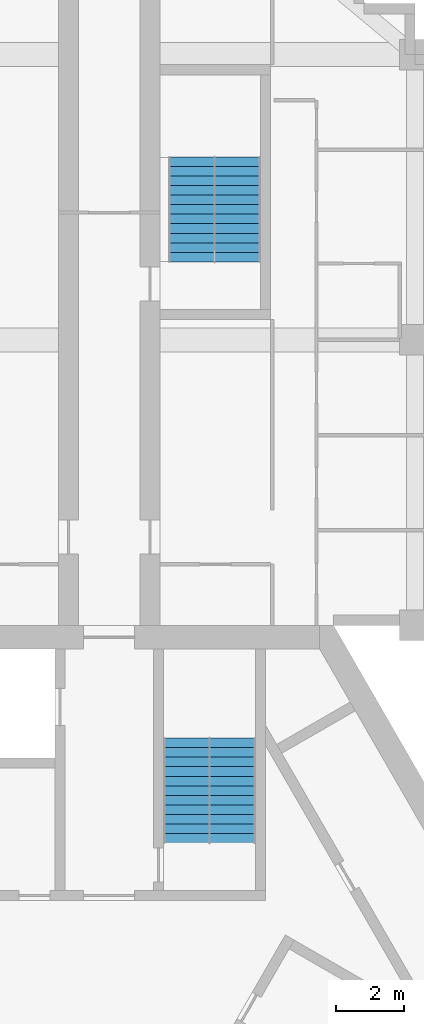
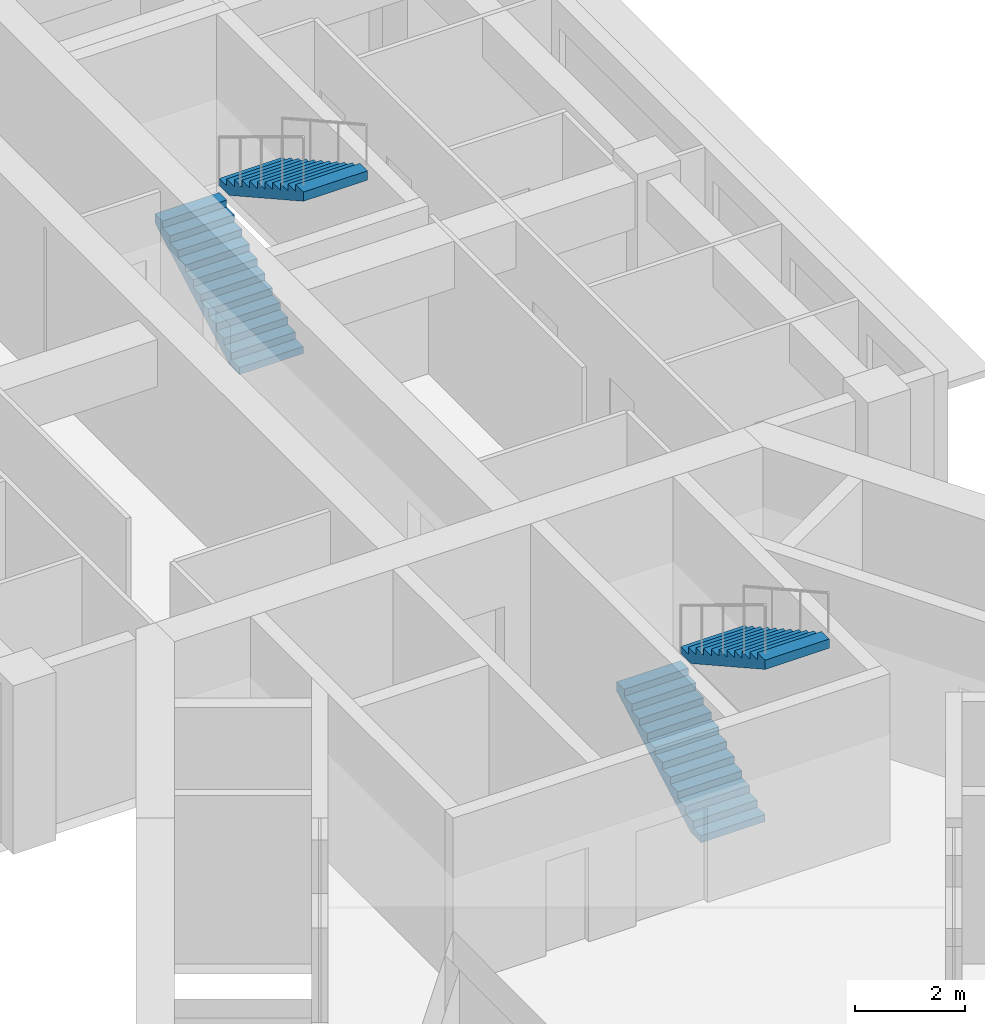
# One storey, part 9 of 10: 4 stair flights, 2 elements without a shape of their own.
"""IFC4 building model written with IfcOpenShell, lengths in metres."""

from ifc_helpers import new_model, si_unit, direction, frame, origin, place, context, subcontext, project, spatial, polyline, outline, extrude, material, type_object, element, aggregate, save


model = new_model("IFC4")

# Units and contexts
model_context = context("Model", 3, precision=1e-05, world=origin(), true_north=direction((0.0, 1.0)))
body_context = subcontext(model_context, "Body", "Model", "MODEL_VIEW")
ifc_project = project(units=[si_unit("LENGTHUNIT", "METRE"), si_unit("AREAUNIT", "SQUARE_METRE"), si_unit("VOLUMEUNIT", "CUBIC_METRE"), si_unit("PLANEANGLEUNIT", "RADIAN"), si_unit("MASSUNIT", "GRAM", prefix="KILO")], contexts=[model_context])

# Site, building, storey
site_placement = place(None, origin())
site = spatial("IfcSite", under=ifc_project, at=site_placement, CompositionType="ELEMENT")
building_placement = place(site_placement, origin())
building = spatial("IfcBuilding", under=site, at=building_placement, Name="Impinga Residences", CompositionType="ELEMENT")
storey_placement = place(building_placement, frame((0.0, 0.0, 259.75)))
storey = spatial("IfcBuildingStorey", under=building, at=storey_placement, Name="L65", CompositionType="ELEMENT", Elevation=259.75)

# Stair, stair flights
ifc_material = material(Name="Concrete C40/50", Category="concrete")
stair_type_1 = type_object("IfcStairType", Name="STR core stair 3750 storey, 24 risers", PredefinedType="HALF_TURN_STAIR", material=ifc_material)
stair_1_placement = place(storey_placement, origin())
stair_1 = element("IfcStair", 1, at=stair_1_placement, inside=storey, type_object=stair_type_1, Name="Stair ST1 L65", PredefinedType="HALF_TURN_STAIR")
stair_flight_type = type_object("IfcStairFlightType", Name="SF 12 risers of 156", PredefinedType="STRAIGHT", material=ifc_material)
stair_flight_1_placement = place(storey_placement, frame((2.27490234375, 5.030029296875, 0.0), z_axis=(0.0, 0.0, 1.0), x_axis=(0.0, 1.0, 0.0)))
stair_flight_1 = element("IfcStairFlight", 2, at=stair_flight_1_placement, type_object=stair_flight_type, Name="ST1 flight 1", NumberOfRisers=12, NumberOfTreads=11, PredefinedType="STRAIGHT", RiserHeight=0.15625, TreadLength=0.28, context=body_context, shape_type="SweptSolid", body=[
    extrude(outline(polyline([(0.0, 0.0), (0.0, 0.15625), (0.280029296875, 0.15625), (0.280029296875, 0.3125), (0.56005859375, 0.3125), (0.56005859375, 0.46875), (0.840087890625, 0.46875), (0.840087890625, 0.625), (1.1201171875, 0.625), (1.1201171875, 0.78125), (1.39990234375, 0.78125), (1.39990234375, 0.9375), (1.679931640625, 0.9375), (1.679931640625, 1.09375), (1.9599609375, 1.09375), (1.9599609375, 1.25), (2.239990234375, 1.25), (2.239990234375, 1.40625), (2.52001953125, 1.40625), (2.52001953125, 1.5625), (2.800048828125, 1.5625), (2.800048828125, 1.71875), (3.080078125, 1.71875), (3.080078125, 1.875), (3.080078125, 1.5126953125), (0.369140625, 0.0), (0.0, 0.0)])), frame((0.0, 0.675048828125, 0.0), z_axis=(0.0, -1.0, 0.0), x_axis=(1.0, 0.0, 0.0)), (0.0, 0.0, 1.0), 1.35009765625),
])
stair_flight_2_placement = place(storey_placement, frame((3.625, 8.110107421875, 1.875), z_axis=(0.0, 0.0, 1.0), x_axis=(0.0, -1.0, 0.0)))
stair_flight_2 = element("IfcStairFlight", 3, at=stair_flight_2_placement, type_object=stair_flight_type, Name="ST1 flight 2", NumberOfRisers=12, NumberOfTreads=11, PredefinedType="STRAIGHT", RiserHeight=0.15625, TreadLength=0.28, context=body_context, shape_type="SweptSolid", body=[
    extrude(outline(polyline([(0.0, 0.0), (0.0, 0.15625), (0.280029296875, 0.15625), (0.280029296875, 0.3125), (0.56005859375, 0.3125), (0.56005859375, 0.46875), (0.840087890625, 0.46875), (0.840087890625, 0.625), (1.1201171875, 0.625), (1.1201171875, 0.78125), (1.39990234375, 0.78125), (1.39990234375, 0.9375), (1.679931640625, 0.9375), (1.679931640625, 1.09375), (1.9599609375, 1.09375), (1.9599609375, 1.25), (2.239990234375, 1.25), (2.239990234375, 1.40625), (2.52001953125, 1.40625), (2.52001953125, 1.5625), (2.800048828125, 1.5625), (2.800048828125, 1.71875), (3.080078125, 1.71875), (3.080078125, 1.875), (3.080078125, 1.5126953125), (0.369140625, 0.0), (0.0, 0.0)])), frame((0.0, 0.675048828125, 0.0), z_axis=(0.0, -1.0, 0.0), x_axis=(1.0, 0.0, 0.0)), (0.0, 0.0, 1.0), 1.35009765625),
])
aggregate(stair_1, [stair_flight_1, stair_flight_2])

stair_type_2 = type_object("IfcStairType", Name="STR wing stair 3750 storey, 24 risers", PredefinedType="HALF_TURN_STAIR", material=ifc_material)
stair_2_placement = place(storey_placement, origin())
stair_2 = element("IfcStair", 4, at=stair_2_placement, inside=storey, type_object=stair_type_2, Name="Stair WS1 L65", PredefinedType="HALF_TURN_STAIR")
stair_flight_3_placement = place(storey_placement, frame((2.425048828125, 22.131591796875, 0.0), z_axis=(0.0, 0.0, 1.0), x_axis=(0.0, 1.0, 0.0)))
stair_flight_3 = element("IfcStairFlight", 5, at=stair_flight_3_placement, type_object=stair_flight_type, Name="WS1 flight 1", NumberOfRisers=12, NumberOfTreads=11, PredefinedType="STRAIGHT", RiserHeight=0.15625, TreadLength=0.28, context=body_context, shape_type="SweptSolid", body=[
    extrude(outline(polyline([(0.0, 0.0), (0.0, 0.15625), (0.280029296875, 0.15625), (0.280029296875, 0.3125), (0.56005859375, 0.3125), (0.56005859375, 0.46875), (0.840087890625, 0.46875), (0.840087890625, 0.625), (1.1201171875, 0.625), (1.1201171875, 0.78125), (1.39990234375, 0.78125), (1.39990234375, 0.9375), (1.679931640625, 0.9375), (1.679931640625, 1.09375), (1.9599609375, 1.09375), (1.9599609375, 1.25), (2.239990234375, 1.25), (2.239990234375, 1.40625), (2.52001953125, 1.40625), (2.52001953125, 1.5625), (2.800048828125, 1.5625), (2.800048828125, 1.71875), (3.080078125, 1.71875), (3.080078125, 1.875), (3.080078125, 1.5126953125), (0.369140625, 0.0), (0.0, 0.0)])), frame((0.0, 0.675048828125, 0.0), z_axis=(0.0, -1.0, 0.0), x_axis=(1.0, 0.0, 0.0)), (0.0, 0.0, 1.0), 1.35009765625),
])
stair_flight_4_placement = place(storey_placement, frame((3.77490234375, 25.21142578125, 1.875), z_axis=(0.0, 0.0, 1.0), x_axis=(0.0, -1.0, 0.0)))
stair_flight_4 = element("IfcStairFlight", 6, at=stair_flight_4_placement, type_object=stair_flight_type, Name="WS1 flight 2", NumberOfRisers=12, NumberOfTreads=11, PredefinedType="STRAIGHT", RiserHeight=0.15625, TreadLength=0.28, context=body_context, shape_type="SweptSolid", body=[
    extrude(outline(polyline([(0.0, 0.0), (0.0, 0.15625), (0.280029296875, 0.15625), (0.280029296875, 0.3125), (0.56005859375, 0.3125), (0.56005859375, 0.46875), (0.840087890625, 0.46875), (0.840087890625, 0.625), (1.1201171875, 0.625), (1.1201171875, 0.78125), (1.39990234375, 0.78125), (1.39990234375, 0.9375), (1.679931640625, 0.9375), (1.679931640625, 1.09375), (1.9599609375, 1.09375), (1.9599609375, 1.25), (2.239990234375, 1.25), (2.239990234375, 1.40625), (2.52001953125, 1.40625), (2.52001953125, 1.5625), (2.800048828125, 1.5625), (2.800048828125, 1.71875), (3.080078125, 1.71875), (3.080078125, 1.875), (3.080078125, 1.5126953125), (0.369140625, 0.0), (0.0, 0.0)])), frame((0.0, 0.675048828125, 0.0), z_axis=(0.0, -1.0, 0.0), x_axis=(1.0, 0.0, 0.0)), (0.0, 0.0, 1.0), 1.35009765625),
])
aggregate(stair_2, [stair_flight_3, stair_flight_4])

save(model, "model.ifc")
